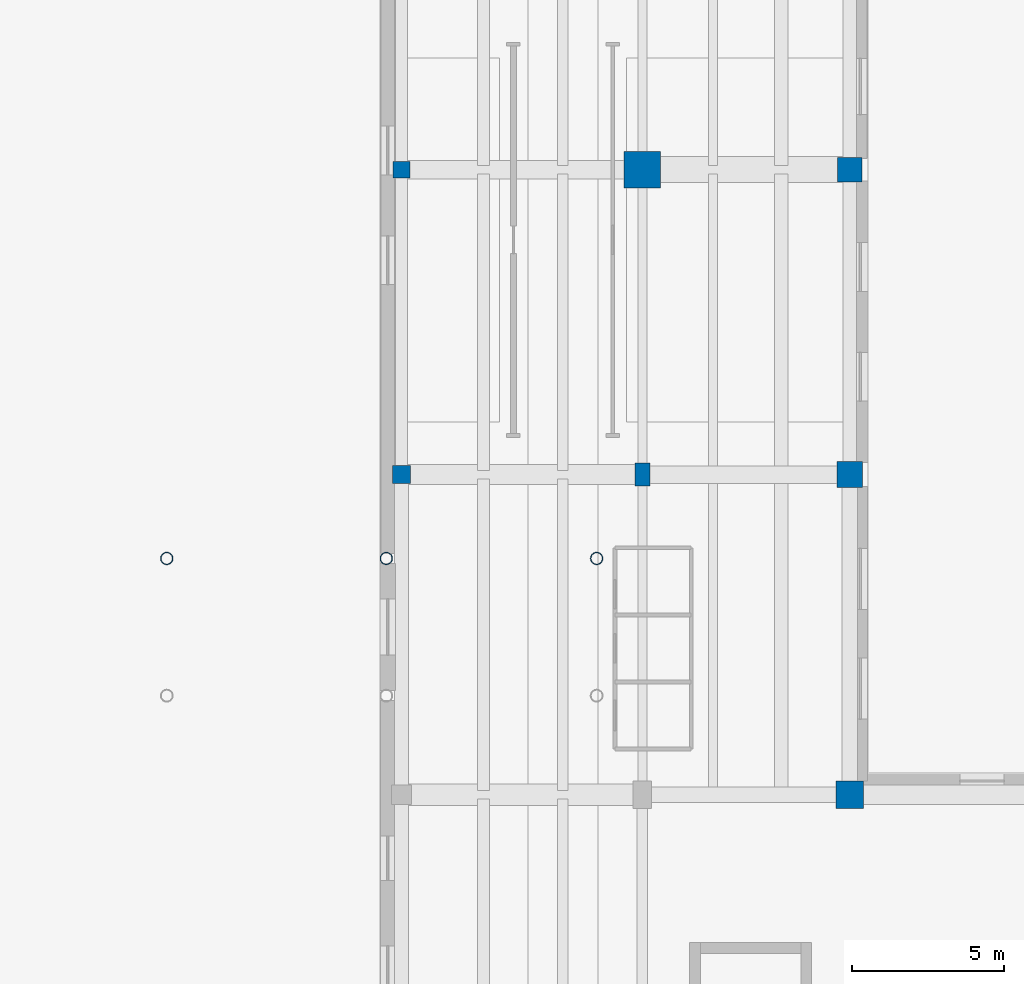
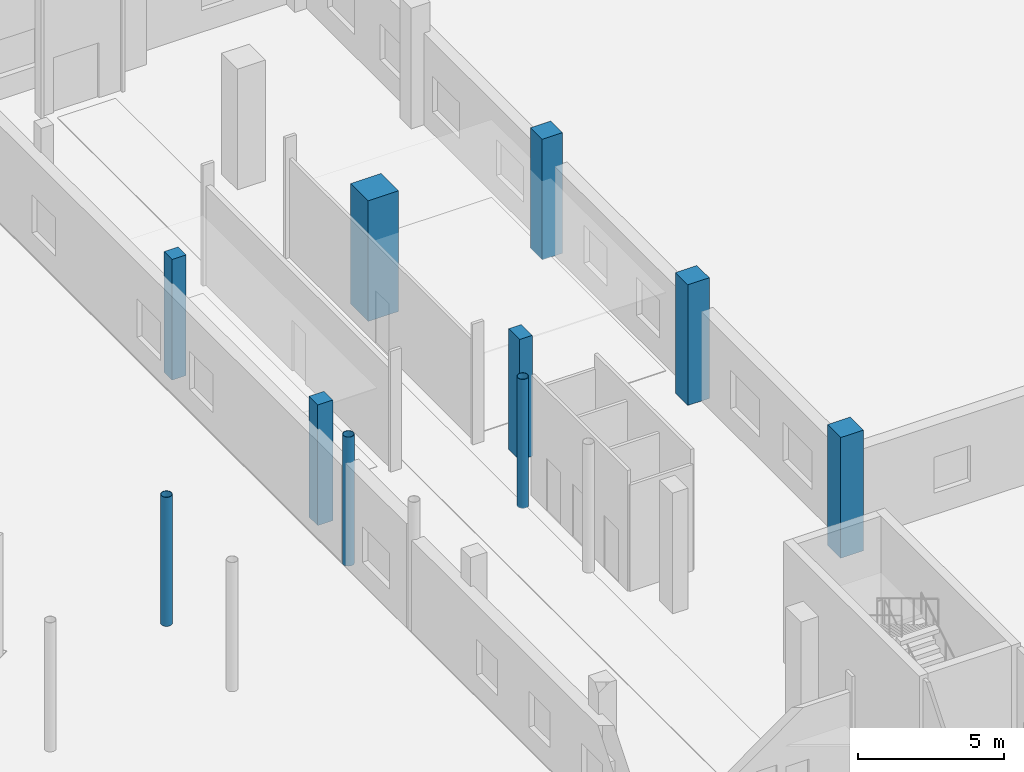
# One storey, part 8 of 74: 10 columns.
"""IFC4 building model written with IfcOpenShell, lengths in metres."""

import ifcopenshell
import ifcopenshell.guid

model = None  # the IFC model being written
_history = None  # IfcOwnerHistory: only IFC2X3 demands one
_inside = {}  # id of a spatial element -> (the spatial element, [elements in it])
_under = {}  # id of a project, library or spatial element -> (it, [spatial elements below it])
_declared = {}  # id of a project -> (the project, [libraries it declares])
_typed = {}  # id of a type object -> (the type object, [elements of that type])
_made_of = {}  # id of a material, layer set ... -> (it, [elements and type objects made of it])


def new_model(schema):
    """Start an empty IFC model of exactly this schema.

    Asked for "IFC4X3", IfcOpenShell would pick the latest addendum, in which some entities
    have other attributes; the version numbers below select the first issue.
    IFC2X3 requires an IfcOwnerHistory on every rooted entity: one is made here for all.
    """
    global model, _history
    if schema == "IFC4X3":
        model = ifcopenshell.file(schema_version=(4, 3, 0, 0))
    else:
        model = ifcopenshell.file(schema=schema)
    _inside.clear()
    _under.clear()
    _declared.clear()
    _typed.clear()
    _made_of.clear()
    _history = None
    if model.schema == "IFC2X3":
        org = make("IfcOrganization", Name="unknown")
        user = make(
            "IfcPersonAndOrganization",
            ThePerson=make("IfcPerson", FamilyName="unknown"),
            TheOrganization=org,
        )
        app = make(
            "IfcApplication",
            ApplicationDeveloper=org,
            Version="unknown",
            ApplicationFullName="unknown",
            ApplicationIdentifier="unknown",
        )
        _history = make(
            "IfcOwnerHistory",
            OwningUser=user,
            OwningApplication=app,
            ChangeAction="ADDED",
            CreationDate=0,
        )
    return model


def make(cls, **values):
    """One entity of the class cls with the attributes given. An attribute that is None is left unset."""
    return model.create_entity(
        cls, **{name: value for name, value in values.items() if value is not None}
    )


def rooted(cls, **values):
    """An entity with a GlobalId (a new one), such as an element, a storey or a relation."""
    return make(cls, GlobalId=ifcopenshell.guid.new(), OwnerHistory=_history, **values)


def si_unit(unit_type, name, prefix=None):
    """IfcSIUnit, for example si_unit("LENGTHUNIT", "METRE", prefix="MILLI")."""
    return make("IfcSIUnit", UnitType=unit_type, Prefix=prefix, Name=name)


def assignment(units):
    """IfcUnitAssignment: the units of a project."""
    return None if units is None else make("IfcUnitAssignment", Units=units)


def point(xyz):
    """IfcCartesianPoint."""
    return None if xyz is None else make("IfcCartesianPoint", Coordinates=xyz)


def direction(xyz):
    """IfcDirection."""
    return None if xyz is None else make("IfcDirection", DirectionRatios=xyz)


def frame(location, z_axis=None, x_axis=None):
    """IfcAxis2Placement3D, a coordinate frame: its origin and axes. An axis left out is left unset."""
    return make(
        "IfcAxis2Placement3D",
        Location=point(location),
        Axis=direction(z_axis),
        RefDirection=direction(x_axis),
    )


def frame_2d(location, x_axis=None):
    """IfcAxis2Placement2D, a coordinate frame in the plane: its origin and x axis."""
    return make(
        "IfcAxis2Placement2D", Location=point(location), RefDirection=direction(x_axis)
    )


def origin():
    """The frame at (0, 0, 0) with its axes left unset."""
    return frame((0.0, 0.0, 0.0))


def origin_2d():
    """The frame at (0, 0) in the plane with its x axis left unset."""
    return frame_2d((0.0, 0.0))


def place(relative_to, where):
    """IfcLocalPlacement: puts the frame where relative to a parent placement (None: the world)."""
    return make(
        "IfcLocalPlacement", PlacementRelTo=relative_to, RelativePlacement=where
    )


def context(
    kind, dimensions, precision=None, world=None, true_north=None, identifier=None
):
    """IfcGeometricRepresentationContext, for example the 3D "Model" context."""
    return make(
        "IfcGeometricRepresentationContext",
        ContextIdentifier=identifier,
        ContextType=kind,
        CoordinateSpaceDimension=dimensions,
        Precision=precision,
        WorldCoordinateSystem=world,
        TrueNorth=true_north,
    )


def subcontext(parent, identifier, kind, view, scale=None):
    """IfcGeometricRepresentationSubContext, for example "Body" below "Model"."""
    return make(
        "IfcGeometricRepresentationSubContext",
        ContextIdentifier=identifier,
        ContextType=kind,
        ParentContext=parent,
        TargetScale=scale,
        TargetView=view,
    )


def project(units=None, contexts=None):
    """IfcProject with its units and contexts."""
    return rooted(
        "IfcProject",
        Name="project",
        RepresentationContexts=contexts,
        UnitsInContext=assignment(units),
    )


def spatial(cls, under=None, at=None, **own):
    """A site, building, storey or space (cls), placed at a placement, below another one or the project."""
    s = rooted(cls, ObjectPlacement=at, **own)
    if under is not None:
        _under.setdefault(under.id(), (under, []))[1].append(s)
    return s


def profile(cls, at=None, kind="AREA", **sizes):
    """A parametric profile (cls). Its sizes go by their IFC names, for example OverallWidth=200.0."""
    return make(cls, ProfileType=kind, Position=at, **sizes)


def rectangle(**sizes):
    """IfcRectangleProfileDef."""
    return profile("IfcRectangleProfileDef", **sizes)


def hollow_circle(**sizes):
    """IfcCircleHollowProfileDef."""
    return profile("IfcCircleHollowProfileDef", **sizes)


def extrude(swept, where, along, depth):
    """IfcExtrudedAreaSolid: the profile swept, set in the frame where, extruded along a direction by depth."""
    return make(
        "IfcExtrudedAreaSolid",
        SweptArea=swept,
        Position=where,
        ExtrudedDirection=direction(along),
        Depth=depth,
    )


def shape(context_of_items, identifier, shape_type, items):
    """IfcShapeRepresentation: the items that make up one representation, for example the "Body"."""
    return make(
        "IfcShapeRepresentation",
        ContextOfItems=context_of_items,
        RepresentationIdentifier=identifier,
        RepresentationType=shape_type,
        Items=items,
    )


def material(Name=None, Category=None):
    """IfcMaterial."""
    return make("IfcMaterial", Name=Name, Category=Category)


def material_profile(
    of_material, cross_section, Name=None, Category=None, Priority=None
):
    """IfcMaterialProfile: a cross section and its material."""
    return make(
        "IfcMaterialProfile",
        Name=Name,
        Material=of_material,
        Profile=cross_section,
        Priority=Priority,
        Category=Category,
    )


def profile_set(profiles, Name=None, composite=None):
    """IfcMaterialProfileSet."""
    return make(
        "IfcMaterialProfileSet",
        Name=Name,
        MaterialProfiles=profiles,
        CompositeProfile=composite,
    )


def made_of(thing, what):
    """Note that an element or type object is made of a material, layer set ...; save() writes the relation."""
    if what is not None:
        _made_of.setdefault(what.id(), (what, []))[1].append(thing)
    return thing


def type_object(cls, material=None, **own):
    """A type object (cls), such as IfcWallType, which elements share."""
    return made_of(rooted(cls, **own), material)


def element(
    cls,
    number,
    at=None,
    inside=None,
    cuts=None,
    type_object=None,
    material=None,
    context=None,
    identifier="Body",
    shape_type=None,
    held_by="IfcProductDefinitionShape",
    body=None,
    shapes=None,
    **own,
):
    """One element of the class cls, such as IfcWall. Its Tag is "e" and its number.

    at: its placement. inside: the storey or other place that contains it. cuts: it is an
    opening in that element (IfcRelVoidsElement). A single representation is given by context,
    identifier, shape_type and body (its items); several are given by shapes. held_by: the class
    of the entity that holds the representations. save() writes the other relations.
    """
    e = rooted(cls, Tag="e%d" % number, ObjectPlacement=at, **own)
    if body is not None:
        shapes = [shape(context, identifier, shape_type, body)]
    if shapes is not None:
        e.Representation = make(held_by, Representations=shapes)
    if inside is not None:
        _inside.setdefault(inside.id(), (inside, []))[1].append(e)
    if cuts is not None:
        rooted(
            "IfcRelVoidsElement", RelatingBuildingElement=cuts, RelatedOpeningElement=e
        )
    if type_object is not None:
        _typed.setdefault(type_object.id(), (type_object, []))[1].append(e)
    return made_of(e, material)


def aggregate(whole, parts):
    """IfcRelAggregates: a whole, such as a stair, and the parts it consists of."""
    return rooted("IfcRelAggregates", RelatingObject=whole, RelatedObjects=parts)


def save(model, path):
    """Write the relations noted so far, then the file.

    IfcRelAggregates (storeys below a building ...), IfcRelContainedInSpatialStructure (elements
    in a storey), IfcRelDefinesByType, IfcRelAssociatesMaterial and IfcRelDeclares: one each for
    every whole, place, type object, material and project.
    """
    for whole, parts in _under.values():
        aggregate(whole, parts)
    for where, things in _inside.values():
        rooted(
            "IfcRelContainedInSpatialStructure",
            RelatedElements=things,
            RelatingStructure=where,
        )
    for kind, things in _typed.values():
        rooted("IfcRelDefinesByType", RelatedObjects=things, RelatingType=kind)
    for what, things in _made_of.values():
        rooted("IfcRelAssociatesMaterial", RelatedObjects=things, RelatingMaterial=what)
    for by, libraries in _declared.values():
        rooted("IfcRelDeclares", RelatingContext=by, RelatedDefinitions=libraries)
    model.write(path)


model = new_model("IFC4")

# Units and contexts
model_context = context("Model", 3, precision=1e-05, world=origin(), true_north=direction((0.0, 1.0)))
body_context = subcontext(model_context, "Body", "Model", "MODEL_VIEW")
ifc_project = project(units=[si_unit("LENGTHUNIT", "METRE"), si_unit("AREAUNIT", "SQUARE_METRE"), si_unit("VOLUMEUNIT", "CUBIC_METRE"), si_unit("PLANEANGLEUNIT", "RADIAN"), si_unit("MASSUNIT", "GRAM", prefix="KILO")], contexts=[model_context])

# Site, building, storey
site_placement = place(None, origin())
site = spatial("IfcSite", under=ifc_project, at=site_placement, CompositionType="ELEMENT")
building_placement = place(site_placement, origin())
building = spatial("IfcBuilding", under=site, at=building_placement, Name="Soyqirgoq Riverine Aquarium", CompositionType="ELEMENT")
storey_placement = place(building_placement, origin())
storey = spatial("IfcBuildingStorey", under=building, at=storey_placement, Name="L01", CompositionType="ELEMENT", Elevation=0.0)

# Columns
ifc_material_1 = material(Name="Waterproof concrete C45/55", Category="concrete")
ifc_material_profile_1 = material_profile(ifc_material_1, rectangle(XDim=1.199951171875, YDim=1.199951171875, at=origin_2d()), Name="RC 1200x1200")
ifc_profile_set_1 = profile_set([ifc_material_profile_1], Name="Waterproof concrete C45/55")
column_type_1 = type_object("IfcColumnType", Name="Col_RC_1200x1200", PredefinedType="COLUMN", material=ifc_profile_set_1)
column_1_placement = place(storey_placement, frame((122.60009765625, 94.800048828125, 0.0), z_axis=(0.0, 0.0, 1.0), x_axis=(1.0, 0.0, 0.0)))
element("IfcColumn", 1, at=column_1_placement, inside=storey, type_object=column_type_1, Name="V7 Column V7-C-12 L01", PredefinedType="COLUMN", context=body_context, shape_type="SweptSolid", body=[
    extrude(rectangle(XDim=1.199951171875, YDim=1.199951171875, at=origin_2d()), origin(), (0.0, 0.0, 1.0), 5.050048828125),
])
ifc_material_2 = material(Name="Concrete C40/50", Category="concrete")
ifc_material_profile_2 = material_profile(ifc_material_2, rectangle(XDim=0.5, YDim=0.75, at=origin_2d()), Name="RC-COL 500x750")
ifc_profile_set_2 = profile_set([ifc_material_profile_2], Name="Concrete C40/50")
column_type_2 = type_object("IfcColumnType", Name="Col_RC_500x750", PredefinedType="COLUMN", material=ifc_profile_set_2)
column_2_placement = place(storey_placement, frame((122.60009765625, 84.800048828125, 0.0), z_axis=(0.0, 0.0, 1.0), x_axis=(1.0, 0.0, 0.0)))
element("IfcColumn", 2, at=column_2_placement, inside=storey, type_object=column_type_2, Name="V7 Column V7-C-11 L01", PredefinedType="COLUMN", context=body_context, shape_type="SweptSolid", body=[
    extrude(rectangle(XDim=0.5, YDim=0.75, at=origin_2d()), origin(), (0.0, 0.0, 1.0), 5.050048828125),
])
ifc_material_3 = material(Name="Concrete C40/50", Category="concrete")
ifc_material_profile_3 = material_profile(ifc_material_3, rectangle(XDim=0.550048828125, YDim=0.550048828125, at=origin_2d()), Name="RC 550x550")
ifc_profile_set_3 = profile_set([ifc_material_profile_3], Name="Concrete C40/50")
column_type_3 = type_object("IfcColumnType", Name="Col_RC_550x550", PredefinedType="COLUMN", material=ifc_profile_set_3)
column_3_placement = place(storey_placement, frame((114.699951171875, 94.800048828125, 0.0), z_axis=(0.0, 0.0, 1.0), x_axis=(1.0, 0.0, 0.0)))
element("IfcColumn", 3, at=column_3_placement, inside=storey, type_object=column_type_3, Name="V7 Column V7-C-05 L01", PredefinedType="COLUMN", context=body_context, shape_type="SweptSolid", body=[
    extrude(rectangle(XDim=0.550048828125, YDim=0.550048828125, at=origin_2d()), origin(), (0.0, 0.0, 1.0), 5.050048828125),
])
ifc_material_4 = material(Name="Concrete C40/50", Category="concrete")
ifc_material_profile_4 = material_profile(ifc_material_4, rectangle(XDim=0.60009765625, YDim=0.60009765625, at=origin_2d()), Name="RC 600x600")
ifc_profile_set_4 = profile_set([ifc_material_profile_4], Name="Concrete C40/50")
column_type_4 = type_object("IfcColumnType", Name="Col_RC_600x600", PredefinedType="COLUMN", material=ifc_profile_set_4)
column_4_placement = place(storey_placement, frame((114.699951171875, 84.800048828125, 0.0), z_axis=(0.0, 0.0, 1.0), x_axis=(1.0, 0.0, 0.0)))
element("IfcColumn", 4, at=column_4_placement, inside=storey, type_object=column_type_4, Name="V7 Column V7-C-04 L01", PredefinedType="COLUMN", context=body_context, shape_type="SweptSolid", body=[
    extrude(rectangle(XDim=0.60009765625, YDim=0.60009765625, at=origin_2d()), origin(), (0.0, 0.0, 1.0), 5.050048828125),
])
ifc_material_5 = material(Name="Concrete C40/50", Category="concrete")
ifc_material_profile_5 = material_profile(ifc_material_5, rectangle(XDim=0.800048828125, YDim=0.800048828125, at=origin_2d()), Name="RC 800x800")
ifc_profile_set_5 = profile_set([ifc_material_profile_5], Name="Concrete C40/50")
column_type_5 = type_object("IfcColumnType", Name="Col_RC_800x800", PredefinedType="COLUMN", material=ifc_profile_set_5)
column_5_placement = place(storey_placement, frame((129.39990234375, 94.800048828125, 0.0), z_axis=(0.0, 0.0, 1.0), x_axis=(1.0, 0.0, 0.0)))
element("IfcColumn", 5, at=column_5_placement, inside=storey, type_object=column_type_5, Name="V7 Column V7-C-18 L01", PredefinedType="COLUMN", context=body_context, shape_type="SweptSolid", body=[
    extrude(rectangle(XDim=0.800048828125, YDim=0.800048828125, at=origin_2d()), origin(), (0.0, 0.0, 1.0), 5.050048828125),
])
ifc_material_6 = material(Name="Concrete C40/50", Category="concrete")
ifc_material_profile_6 = material_profile(ifc_material_6, rectangle(XDim=0.85009765625, YDim=0.85009765625, at=origin_2d()), Name="RC 850x850")
ifc_profile_set_6 = profile_set([ifc_material_profile_6], Name="Concrete C40/50")
column_type_6 = type_object("IfcColumnType", Name="Col_RC_850x850", PredefinedType="COLUMN", material=ifc_profile_set_6)
column_6_placement = place(storey_placement, frame((129.39990234375, 84.800048828125, 0.0), z_axis=(0.0, 0.0, 1.0), x_axis=(1.0, 0.0, 0.0)))
element("IfcColumn", 6, at=column_6_placement, inside=storey, type_object=column_type_6, Name="V7 Column V7-C-17 L01", PredefinedType="COLUMN", context=body_context, shape_type="SweptSolid", body=[
    extrude(rectangle(XDim=0.85009765625, YDim=0.85009765625, at=origin_2d()), origin(), (0.0, 0.0, 1.0), 5.050048828125),
])
ifc_material_7 = material(Name="Concrete C40/50", Category="concrete")
ifc_material_profile_7 = material_profile(ifc_material_7, rectangle(XDim=0.89990234375, YDim=0.89990234375, at=origin_2d()), Name="RC 900x900")
ifc_profile_set_7 = profile_set([ifc_material_profile_7], Name="Concrete C40/50")
column_type_7 = type_object("IfcColumnType", Name="Col_RC_900x900", PredefinedType="COLUMN", material=ifc_profile_set_7)
column_7_placement = place(storey_placement, frame((129.39990234375, 74.300048828125, 0.0), z_axis=(0.0, 0.0, 1.0), x_axis=(1.0, 0.0, 0.0)))
element("IfcColumn", 7, at=column_7_placement, inside=storey, type_object=column_type_7, Name="V7 Column V7-C-16 L01", PredefinedType="COLUMN", context=body_context, shape_type="SweptSolid", body=[
    extrude(rectangle(XDim=0.89990234375, YDim=0.89990234375, at=origin_2d()), origin(), (0.0, 0.0, 1.0), 5.050048828125),
])
ifc_material_8 = material(Name="Structural steel S355", Category="steel")
ifc_material_profile_8 = material_profile(ifc_material_8, hollow_circle(Radius=0.203125, WallThickness=0.01611328125, at=origin_2d()), Name="CHS 406.4x16")
ifc_profile_set_8 = profile_set([ifc_material_profile_8], Name="Structural steel S355")
column_type_8 = type_object("IfcColumnType", Name="Col_Steel_CHS406", PredefinedType="COLUMN", material=ifc_profile_set_8)
for number, where, z_axis, x_axis, name in (
    (8, (107.0, 82.050048828125, 0.0), (0.0, 0.0, 1.0), (1.0, 0.0, 0.0), "Bridge Pier Column BR-2-CP-107-N L01"),
    (9, (114.199951171875, 82.050048828125, 0.0), (0.0, 0.0, 1.0), (1.0, 0.0, 0.0), "Bridge Pier Column BR-2-CP-114-N L01"),
    (10, (121.10009765625, 82.050048828125, 0.0), (0.0, 0.0, 1.0), (1.0, 0.0, 0.0), "Bridge Pier Column BR-2-CP-121-N L01"),
):
    element("IfcColumn", number, at=place(storey_placement, frame(where, z_axis=z_axis, x_axis=x_axis)), inside=storey, type_object=column_type_8, Name=name, PredefinedType="COLUMN", context=body_context, shape_type="SweptSolid", body=[
        extrude(hollow_circle(Radius=0.203125, WallThickness=0.01611328125, at=origin_2d()), origin(), (0.0, 0.0, 1.0), 5.39990234375),
    ])

save(model, "model.ifc")
